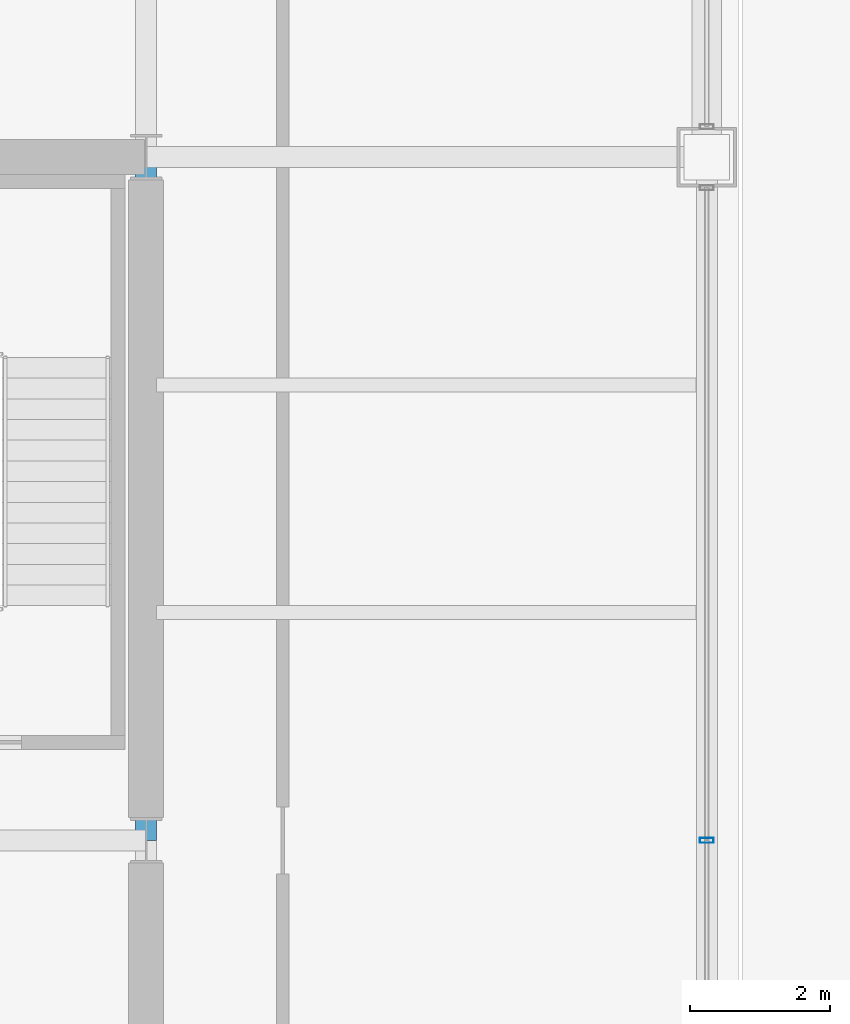
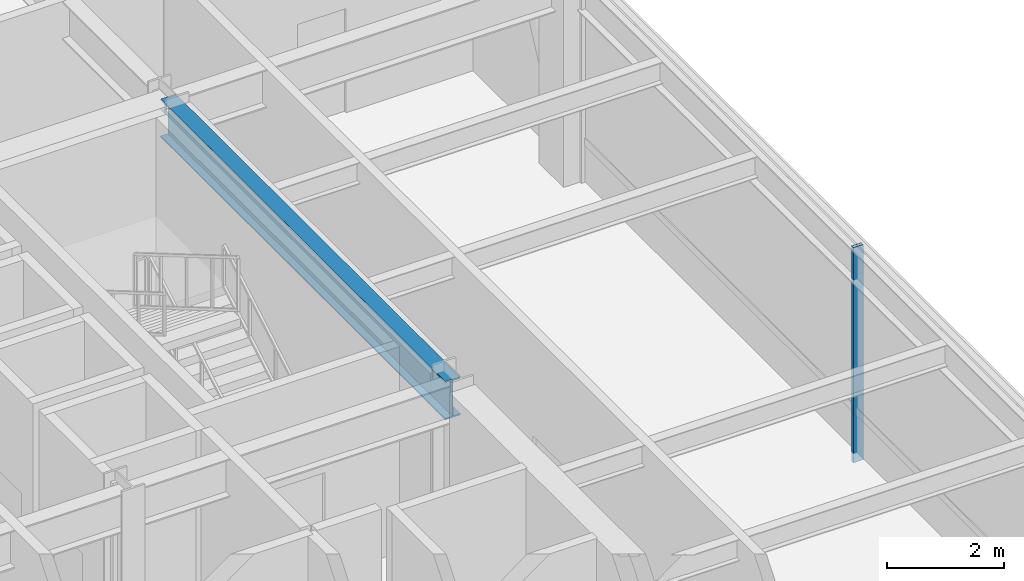
# One storey, part 15 of 32: 1 beam, 1 member, 1 element without a shape of its own.
"""IFC4 building model written with IfcOpenShell, lengths in metres."""

import ifcopenshell
import ifcopenshell.guid

model = None  # the IFC model being written
_history = None  # IfcOwnerHistory: only IFC2X3 demands one
_inside = {}  # id of a spatial element -> (the spatial element, [elements in it])
_under = {}  # id of a project, library or spatial element -> (it, [spatial elements below it])
_declared = {}  # id of a project -> (the project, [libraries it declares])
_typed = {}  # id of a type object -> (the type object, [elements of that type])
_made_of = {}  # id of a material, layer set ... -> (it, [elements and type objects made of it])


def new_model(schema):
    """Start an empty IFC model of exactly this schema.

    Asked for "IFC4X3", IfcOpenShell would pick the latest addendum, in which some entities
    have other attributes; the version numbers below select the first issue.
    IFC2X3 requires an IfcOwnerHistory on every rooted entity: one is made here for all.
    """
    global model, _history
    if schema == "IFC4X3":
        model = ifcopenshell.file(schema_version=(4, 3, 0, 0))
    else:
        model = ifcopenshell.file(schema=schema)
    _inside.clear()
    _under.clear()
    _declared.clear()
    _typed.clear()
    _made_of.clear()
    _history = None
    if model.schema == "IFC2X3":
        org = make("IfcOrganization", Name="unknown")
        user = make(
            "IfcPersonAndOrganization",
            ThePerson=make("IfcPerson", FamilyName="unknown"),
            TheOrganization=org,
        )
        app = make(
            "IfcApplication",
            ApplicationDeveloper=org,
            Version="unknown",
            ApplicationFullName="unknown",
            ApplicationIdentifier="unknown",
        )
        _history = make(
            "IfcOwnerHistory",
            OwningUser=user,
            OwningApplication=app,
            ChangeAction="ADDED",
            CreationDate=0,
        )
    return model


def make(cls, **values):
    """One entity of the class cls with the attributes given. An attribute that is None is left unset."""
    return model.create_entity(
        cls, **{name: value for name, value in values.items() if value is not None}
    )


def rooted(cls, **values):
    """An entity with a GlobalId (a new one), such as an element, a storey or a relation."""
    return make(cls, GlobalId=ifcopenshell.guid.new(), OwnerHistory=_history, **values)


def si_unit(unit_type, name, prefix=None):
    """IfcSIUnit, for example si_unit("LENGTHUNIT", "METRE", prefix="MILLI")."""
    return make("IfcSIUnit", UnitType=unit_type, Prefix=prefix, Name=name)


def assignment(units):
    """IfcUnitAssignment: the units of a project."""
    return None if units is None else make("IfcUnitAssignment", Units=units)


def point(xyz):
    """IfcCartesianPoint."""
    return None if xyz is None else make("IfcCartesianPoint", Coordinates=xyz)


def direction(xyz):
    """IfcDirection."""
    return None if xyz is None else make("IfcDirection", DirectionRatios=xyz)


def frame(location, z_axis=None, x_axis=None):
    """IfcAxis2Placement3D, a coordinate frame: its origin and axes. An axis left out is left unset."""
    return make(
        "IfcAxis2Placement3D",
        Location=point(location),
        Axis=direction(z_axis),
        RefDirection=direction(x_axis),
    )


def frame_2d(location, x_axis=None):
    """IfcAxis2Placement2D, a coordinate frame in the plane: its origin and x axis."""
    return make(
        "IfcAxis2Placement2D", Location=point(location), RefDirection=direction(x_axis)
    )


def origin():
    """The frame at (0, 0, 0) with its axes left unset."""
    return frame((0.0, 0.0, 0.0))


def origin_2d():
    """The frame at (0, 0) in the plane with its x axis left unset."""
    return frame_2d((0.0, 0.0))


def place(relative_to, where):
    """IfcLocalPlacement: puts the frame where relative to a parent placement (None: the world)."""
    return make(
        "IfcLocalPlacement", PlacementRelTo=relative_to, RelativePlacement=where
    )


def context(
    kind, dimensions, precision=None, world=None, true_north=None, identifier=None
):
    """IfcGeometricRepresentationContext, for example the 3D "Model" context."""
    return make(
        "IfcGeometricRepresentationContext",
        ContextIdentifier=identifier,
        ContextType=kind,
        CoordinateSpaceDimension=dimensions,
        Precision=precision,
        WorldCoordinateSystem=world,
        TrueNorth=true_north,
    )


def subcontext(parent, identifier, kind, view, scale=None):
    """IfcGeometricRepresentationSubContext, for example "Body" below "Model"."""
    return make(
        "IfcGeometricRepresentationSubContext",
        ContextIdentifier=identifier,
        ContextType=kind,
        ParentContext=parent,
        TargetScale=scale,
        TargetView=view,
    )


def project(units=None, contexts=None):
    """IfcProject with its units and contexts."""
    return rooted(
        "IfcProject",
        Name="project",
        RepresentationContexts=contexts,
        UnitsInContext=assignment(units),
    )


def spatial(cls, under=None, at=None, **own):
    """A site, building, storey or space (cls), placed at a placement, below another one or the project."""
    s = rooted(cls, ObjectPlacement=at, **own)
    if under is not None:
        _under.setdefault(under.id(), (under, []))[1].append(s)
    return s


def profile(cls, at=None, kind="AREA", **sizes):
    """A parametric profile (cls). Its sizes go by their IFC names, for example OverallWidth=200.0."""
    return make(cls, ProfileType=kind, Position=at, **sizes)


def hollow_rectangle(**sizes):
    """IfcRectangleHollowProfileDef."""
    return profile("IfcRectangleHollowProfileDef", **sizes)


def i_section(**sizes):
    """IfcIShapeProfileDef."""
    return profile("IfcIShapeProfileDef", **sizes)


def extrude(swept, where, along, depth):
    """IfcExtrudedAreaSolid: the profile swept, set in the frame where, extruded along a direction by depth."""
    return make(
        "IfcExtrudedAreaSolid",
        SweptArea=swept,
        Position=where,
        ExtrudedDirection=direction(along),
        Depth=depth,
    )


def shape(context_of_items, identifier, shape_type, items):
    """IfcShapeRepresentation: the items that make up one representation, for example the "Body"."""
    return make(
        "IfcShapeRepresentation",
        ContextOfItems=context_of_items,
        RepresentationIdentifier=identifier,
        RepresentationType=shape_type,
        Items=items,
    )


def material(Name=None, Category=None):
    """IfcMaterial."""
    return make("IfcMaterial", Name=Name, Category=Category)


def layer(
    of_material, thickness, ventilated=None, Name=None, Category=None, Priority=None
):
    """IfcMaterialLayer: one layer of a wall or slab, of a material (None: an air gap)."""
    return make(
        "IfcMaterialLayer",
        Material=of_material,
        LayerThickness=thickness,
        IsVentilated=ventilated,
        Name=Name,
        Category=Category,
        Priority=Priority,
    )


def layer_set(layers, Name=None):
    """IfcMaterialLayerSet."""
    return make("IfcMaterialLayerSet", MaterialLayers=layers, LayerSetName=Name)


def material_profile(
    of_material, cross_section, Name=None, Category=None, Priority=None
):
    """IfcMaterialProfile: a cross section and its material."""
    return make(
        "IfcMaterialProfile",
        Name=Name,
        Material=of_material,
        Profile=cross_section,
        Priority=Priority,
        Category=Category,
    )


def profile_set(profiles, Name=None, composite=None):
    """IfcMaterialProfileSet."""
    return make(
        "IfcMaterialProfileSet",
        Name=Name,
        MaterialProfiles=profiles,
        CompositeProfile=composite,
    )


def made_of(thing, what):
    """Note that an element or type object is made of a material, layer set ...; save() writes the relation."""
    if what is not None:
        _made_of.setdefault(what.id(), (what, []))[1].append(thing)
    return thing


def type_object(cls, material=None, **own):
    """A type object (cls), such as IfcWallType, which elements share."""
    return made_of(rooted(cls, **own), material)


def element(
    cls,
    number,
    at=None,
    inside=None,
    cuts=None,
    type_object=None,
    material=None,
    context=None,
    identifier="Body",
    shape_type=None,
    held_by="IfcProductDefinitionShape",
    body=None,
    shapes=None,
    **own,
):
    """One element of the class cls, such as IfcWall. Its Tag is "e" and its number.

    at: its placement. inside: the storey or other place that contains it. cuts: it is an
    opening in that element (IfcRelVoidsElement). A single representation is given by context,
    identifier, shape_type and body (its items); several are given by shapes. held_by: the class
    of the entity that holds the representations. save() writes the other relations.
    """
    e = rooted(cls, Tag="e%d" % number, ObjectPlacement=at, **own)
    if body is not None:
        shapes = [shape(context, identifier, shape_type, body)]
    if shapes is not None:
        e.Representation = make(held_by, Representations=shapes)
    if inside is not None:
        _inside.setdefault(inside.id(), (inside, []))[1].append(e)
    if cuts is not None:
        rooted(
            "IfcRelVoidsElement", RelatingBuildingElement=cuts, RelatedOpeningElement=e
        )
    if type_object is not None:
        _typed.setdefault(type_object.id(), (type_object, []))[1].append(e)
    return made_of(e, material)


def aggregate(whole, parts):
    """IfcRelAggregates: a whole, such as a stair, and the parts it consists of."""
    return rooted("IfcRelAggregates", RelatingObject=whole, RelatedObjects=parts)


def save(model, path):
    """Write the relations noted so far, then the file.

    IfcRelAggregates (storeys below a building ...), IfcRelContainedInSpatialStructure (elements
    in a storey), IfcRelDefinesByType, IfcRelAssociatesMaterial and IfcRelDeclares: one each for
    every whole, place, type object, material and project.
    """
    for whole, parts in _under.values():
        aggregate(whole, parts)
    for where, things in _inside.values():
        rooted(
            "IfcRelContainedInSpatialStructure",
            RelatedElements=things,
            RelatingStructure=where,
        )
    for kind, things in _typed.values():
        rooted("IfcRelDefinesByType", RelatedObjects=things, RelatingType=kind)
    for what, things in _made_of.values():
        rooted("IfcRelAssociatesMaterial", RelatedObjects=things, RelatingMaterial=what)
    for by, libraries in _declared.values():
        rooted("IfcRelDeclares", RelatingContext=by, RelatedDefinitions=libraries)
    model.write(path)


model = new_model("IFC4")

# Units and contexts
model_context = context("Model", 3, precision=1e-05, world=origin(), true_north=direction((0.0, 1.0)))
body_context = subcontext(model_context, "Body", "Model", "MODEL_VIEW")
ifc_project = project(units=[si_unit("LENGTHUNIT", "METRE"), si_unit("AREAUNIT", "SQUARE_METRE"), si_unit("VOLUMEUNIT", "CUBIC_METRE"), si_unit("PLANEANGLEUNIT", "RADIAN"), si_unit("MASSUNIT", "GRAM", prefix="KILO")], contexts=[model_context])

# Site, building, storey
site_placement = place(None, origin())
site = spatial("IfcSite", under=ifc_project, at=site_placement, CompositionType="ELEMENT")
building_placement = place(site_placement, origin())
building = spatial("IfcBuilding", under=site, at=building_placement, Name="Brelmoor Portico Tower", CompositionType="ELEMENT")
storey_placement = place(building_placement, frame((0.0, 0.0, 87.300048828125)))
storey = spatial("IfcBuildingStorey", under=building, at=storey_placement, Name="L22", CompositionType="ELEMENT", Elevation=87.300048828125)

# Beam
ifc_material_1 = material(Name="Steel Q355B", Category="steel")
ifc_material_profile_1 = material_profile(ifc_material_1, i_section(OverallWidth=0.300048828125, OverallDepth=0.800048828125, WebThickness=0.013916015625, FlangeThickness=0.02587890625, at=origin_2d()), Name="HN 800x300x14x26")
ifc_profile_set_1 = profile_set([ifc_material_profile_1], Name="Steel Q355B")
beam_type = type_object("IfcBeamType", Name="BM-PG-800", PredefinedType="BEAM", material=ifc_profile_set_1)
beam_placement = place(storey_placement, frame((14.550048828125, 0.0, 3.89990234375), z_axis=(0.0, 1.0, 0.0), x_axis=(-1.0, 0.0, 0.0)))
element("IfcBeam", 1, at=beam_placement, inside=storey, type_object=beam_type, Name="L22 Primary Floor Girder PG-11", PredefinedType="BEAM", context=body_context, shape_type="SweptSolid", body=[
    extrude(i_section(OverallWidth=0.300048828125, OverallDepth=0.800048828125, WebThickness=0.013916015625, FlangeThickness=0.02587890625, at=origin_2d()), origin(), (0.0, 0.0, 1.0), 9.75),
])

# Curtain wall, member
ifc_material_2 = material(Name="Anodised Aluminium Alloy 6063-T6", Category="aluminium")
ifc_layer = layer(ifc_material_2, 0.179931640625)
ifc_layer_set = layer_set([ifc_layer], Name="Anodised Aluminium Alloy 6063-T6")
curtain_wall_type = type_object("IfcCurtainWallType", Name="CW-SKYLOBBY", PredefinedType="NOTDEFINED", material=ifc_layer_set)
curtain_wall_placement = place(storey_placement, origin())
curtain_wall = element("IfcCurtainWall", 2, at=curtain_wall_placement, inside=storey, type_object=curtain_wall_type, Name="L22 Curtain Wall CW-L22-04-2", PredefinedType="NOTDEFINED")
ifc_material_profile_2 = material_profile(ifc_material_2, hollow_rectangle(XDim=0.070068359375, YDim=0.199951171875, WallThickness=0.00439453125, at=origin_2d()), Name="ALU MULLION 70x200")
ifc_profile_set_2 = profile_set([ifc_material_profile_2], Name="Anodised Aluminium Alloy 6063-T6")
member_type = type_object("IfcMemberType", Name="MB-CW-MULL-200", PredefinedType="MULLION", material=ifc_profile_set_2)
member_placement = place(storey_placement, frame((22.550048828125, 0.0, -0.199951171875), z_axis=(0.0, 0.0, 1.0), x_axis=(0.0, 1.0, 0.0)))
member = element("IfcMember", 3, at=member_placement, type_object=member_type, Name="CW-L22-04-2 Mullion 01", PredefinedType="MULLION", context=body_context, shape_type="SweptSolid", body=[
    extrude(hollow_rectangle(XDim=0.070068359375, YDim=0.199951171875, WallThickness=0.00439453125, at=origin_2d()), origin(), (0.0, 0.0, 1.0), 4.5),
])
aggregate(curtain_wall, [member])

save(model, "model.ifc")
